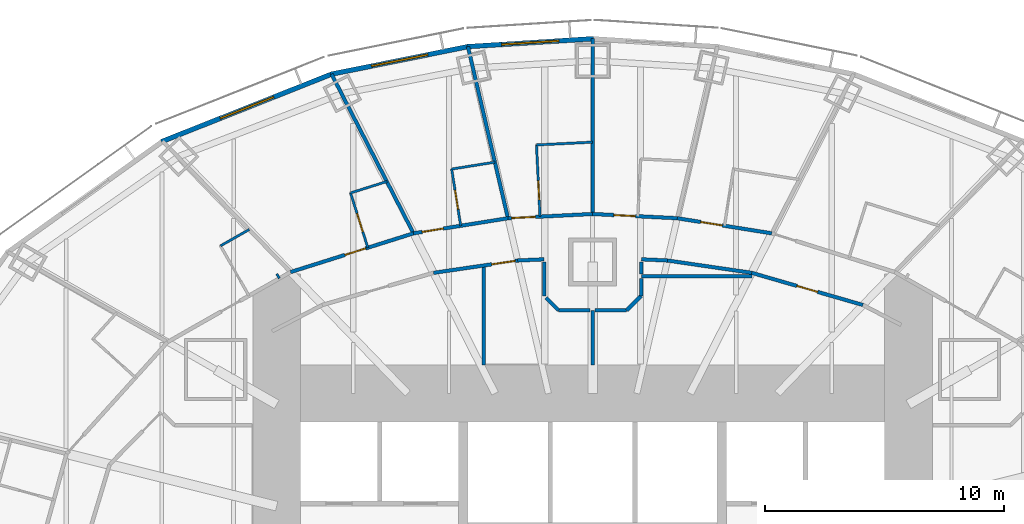
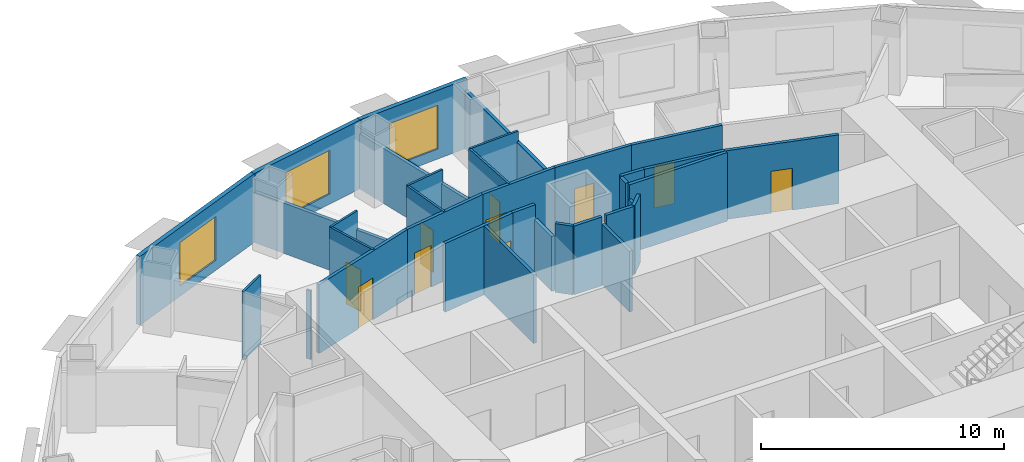
# One storey, part 10 of 17: 34 walls, 10 doors, 3 windows, 13 openings.
"""IFC4 building model written with IfcOpenShell, lengths in metres."""

from ifc_helpers import new_model, si_unit, direction, frame, frame_2d, origin, place, context, subcontext, project, spatial, rectangle, extrude, material, layer, layer_set, type_object, element, fill, save


model = new_model("IFC4")

# Units and contexts
model_context = context("Model", 3, precision=1e-05, world=origin(), true_north=direction((0.0, 1.0)))
body_context = subcontext(model_context, "Body", "Model", "MODEL_VIEW")
ifc_project = project(units=[si_unit("LENGTHUNIT", "METRE"), si_unit("AREAUNIT", "SQUARE_METRE"), si_unit("VOLUMEUNIT", "CUBIC_METRE"), si_unit("PLANEANGLEUNIT", "RADIAN"), si_unit("MASSUNIT", "GRAM", prefix="KILO")], contexts=[model_context])

# Site, building, storey
site_placement = place(None, origin())
site = spatial("IfcSite", under=ifc_project, at=site_placement, CompositionType="ELEMENT")
building_placement = place(site_placement, origin())
building = spatial("IfcBuilding", under=site, at=building_placement, Name="Lantaw Convention Tower", CompositionType="ELEMENT")
storey_placement = place(building_placement, frame((0.0, 0.0, 40.60009765625)))
storey = spatial("IfcBuildingStorey", under=building, at=storey_placement, Name="L07", CompositionType="ELEMENT", Elevation=40.60009765625)

# Walls
ifc_material_1 = material(Name="Gypsum board on steel studs", Category="steel")
ifc_layer_1 = layer(ifc_material_1, 0.14990234375)
ifc_layer_set_1 = layer_set([ifc_layer_1], Name="Back of house wall 150")
wall_type_1 = type_object("IfcWallType", Name="Back of house wall 150", PredefinedType="PARTITIONING", material=ifc_layer_set_1)
wall_1_placement = place(storey_placement, frame((0.0, 9.199951171875, 0.0), z_axis=(0.0, 0.0, 1.0), x_axis=(0.0, 1.0, 0.0)))
element("IfcWall", 1, at=wall_1_placement, inside=storey, type_object=wall_type_1, Name="Back of house wall 150", PredefinedType="PARTITIONING", context=body_context, shape_type="SweptSolid", body=[
    extrude(rectangle(XDim=2.26513671875, YDim=0.14990234375, at=frame_2d((1.132568359375, 0.0))), origin(), (0.0, 0.0, 1.0), 3.04345703125),
])
wall_2_placement = place(storey_placement, frame((6.667724609375, 12.89990234375, 0.0), z_axis=(0.0, 0.0, 1.0), x_axis=(-1.0, 0.0, 0.0)))
element("IfcWall", 2, at=wall_2_placement, inside=storey, type_object=wall_type_1, Name="Back of house wall 150", PredefinedType="PARTITIONING", context=body_context, shape_type="SweptSolid", body=[
    extrude(rectangle(XDim=4.6328125, YDim=0.14990234375, at=frame_2d((2.31640625, 0.0))), origin(), (0.0, 0.0, 1.0), 3.449951171875),
])
wall_3_placement = place(storey_placement, frame((2.02490234375, 12.796875, 0.0), z_axis=(0.0, 0.0, 1.0), x_axis=(0.0, -1.0, 0.0)))
element("IfcWall", 3, at=wall_3_placement, inside=storey, type_object=wall_type_1, Name="Back of house wall 150", PredefinedType="PARTITIONING", context=body_context, shape_type="SweptSolid", body=[
    extrude(rectangle(XDim=0.721435546875, YDim=0.14990234375, at=frame_2d((0.36083984375, 0.0))), origin(), (0.0, 0.0, 1.0), 2.748779296875),
])
wall_4_placement = place(storey_placement, frame((2.02490234375, 12.075439453125, 0.0), z_axis=(0.0, 0.0, 1.0), x_axis=(-0.707106781187, -0.707106781187, 0.0)))
element("IfcWall", 4, at=wall_4_placement, inside=storey, type_object=wall_type_1, Name="Back of house wall 150", PredefinedType="PARTITIONING", context=body_context, shape_type="SweptSolid", body=[
    extrude(rectangle(XDim=0.84912109375, YDim=0.14990234375, at=frame_2d((0.424560546875, 0.0))), origin(), (0.0, 0.0, 1.0), 3.449951171875),
])
wall_5_placement = place(storey_placement, frame((1.424560546875, 11.47509765625, 0.0), z_axis=(0.0, 0.0, 1.0), x_axis=(-1.0, 0.0, 0.0)))
element("IfcWall", 5, at=wall_5_placement, inside=storey, type_object=wall_type_1, Name="Back of house wall 150", PredefinedType="PARTITIONING", context=body_context, shape_type="SweptSolid", body=[
    extrude(rectangle(XDim=1.3212890625, YDim=0.14990234375, at=frame_2d((0.66064453125, 0.0))), origin(), (0.0, 0.0, 1.0), 3.449951171875),
])
wall_6_placement = place(storey_placement, frame((2.02490234375, 13.502685546875, 0.0), z_axis=(0.0, 0.0, 1.0), x_axis=(0.0, -1.0, 0.0)))
element("IfcWall", 6, at=wall_6_placement, inside=storey, type_object=wall_type_1, Name="Back of house wall 150", PredefinedType="PARTITIONING", context=body_context, shape_type="SweptSolid", body=[
    extrude(rectangle(XDim=0.49951171875, YDim=0.14990234375, at=frame_2d((0.249755859375, 0.0))), origin(), (0.0, 0.0, 1.0), 3.449951171875),
])
wall_7_placement = place(storey_placement, frame((-0.103271484375, 11.47509765625, 0.0), z_axis=(0.0, 0.0, 1.0), x_axis=(-1.0, 0.0, 0.0)))
element("IfcWall", 7, at=wall_7_placement, inside=storey, type_object=wall_type_1, Name="Back of house wall 150", PredefinedType="PARTITIONING", context=body_context, shape_type="SweptSolid", body=[
    extrude(rectangle(XDim=1.3212890625, YDim=0.14990234375, at=frame_2d((0.66064453125, 0.0))), origin(), (0.0, 0.0, 1.0), 3.449951171875),
])
wall_8_placement = place(storey_placement, frame((-1.424560546875, 11.47509765625, 0.0), z_axis=(0.0, 0.0, 1.0), x_axis=(-0.707269727782, 0.706943797032, 0.0)))
element("IfcWall", 8, at=wall_8_placement, inside=storey, type_object=wall_type_1, Name="Back of house wall 150", PredefinedType="PARTITIONING", context=body_context, shape_type="SweptSolid", body=[
    extrude(rectangle(XDim=0.7490234375, YDim=0.14990234375, at=frame_2d((0.37451171875, 0.0))), origin(), (0.0, 0.0, 1.0), 3.449951171875),
])

# Wall, opening, door
ifc_material_2 = material(Name="Moisture resistant gypsum board on steel studs", Category="steel")
ifc_layer_2 = layer(ifc_material_2, 0.10009765625)
ifc_layer_set_2 = layer_set([ifc_layer_2], Name="Bathroom wall 100")
wall_type_2 = type_object("IfcWallType", Name="Bathroom wall 100", PredefinedType="PARTITIONING", material=ifc_layer_set_2)
wall_9_placement = place(storey_placement, frame((-2.197265625, 15.390380859375, 0.0), z_axis=(0.0, 0.0, 1.0), x_axis=(-0.049888907753, 0.998754773147, 0.0)))
wall_9 = element("IfcWall", 9, at=wall_9_placement, inside=storey, type_object=wall_type_2, Name="Bathroom wall 100", PredefinedType="PARTITIONING", context=body_context, shape_type="SweptSolid", body=[
    extrude(rectangle(XDim=2.999755859375, YDim=0.10009765625, at=frame_2d((1.5, 0.0))), origin(), (0.0, 0.0, 1.0), 3.449951171875),
])
opening_1_placement = place(wall_9_placement, frame((0.699951171875, 0.0, 0.0)))
opening_1 = element("IfcOpeningElement", 10, at=opening_1_placement, cuts=wall_9, Name="Opening L07.37", PredefinedType="OPENING", context=body_context, shape_type="SweptSolid", body=[
    extrude(rectangle(XDim=0.800048828125, YDim=2.10009765625, at=frame_2d((0.39990234375, 1.050048828125))), frame((0.0, 0.06005859375, 0.0), z_axis=(0.0, -1.0, 0.0), x_axis=(1.0, 0.0, 0.0)), (0.0, 0.0, 1.0), 0.1201171875),
])
ifc_material_3 = material(Name="Timber", Category="wood")
door_type_1 = type_object("IfcDoorType", Name="Bathroom door 800", OperationType="SINGLE_SWING_LEFT", PredefinedType="DOOR", material=ifc_material_3)
door_1_placement = place(opening_1_placement, origin())
door_1 = element("IfcDoor", 11, at=door_1_placement, inside=storey, type_object=door_type_1, Name="Bathroom door", OperationType="SINGLE_SWING_LEFT", OverallHeight=2.10009765625, OverallWidth=0.800048828125, PredefinedType="DOOR", context=body_context, shape_type="SweptSolid", body=[
    extrude(rectangle(XDim=0.800048828125, YDim=2.10009765625, at=frame_2d((0.39990234375, 1.050048828125))), frame((0.0, 0.02490234375, 0.0), z_axis=(0.0, -1.0, 0.0), x_axis=(1.0, 0.0, 0.0)), (0.0, 0.0, 1.0), 0.050048828125),
])
fill(opening_1, door_1)

# Wall
wall_10_placement = place(storey_placement, frame((-2.346923828125, 18.386474609375, 0.0), z_axis=(0.0, 0.0, 1.0), x_axis=(0.998755704817, 0.049870252607, 0.0)))
element("IfcWall", 12, at=wall_10_placement, inside=storey, type_object=wall_type_2, Name="Bathroom wall 100", PredefinedType="PARTITIONING", context=body_context, shape_type="SweptSolid", body=[
    extrude(rectangle(XDim=2.349853515625, YDim=0.10009765625, at=frame_2d((1.1748046875, 0.0))), origin(), (0.0, 0.0, 1.0), 3.449951171875),
])

# Wall, opening, door
wall_11_placement = place(storey_placement, frame((-5.5126953125, 15.0078125, 0.0), z_axis=(0.0, 0.0, 1.0), x_axis=(-0.157780217218, 0.987474254376, 0.0)))
wall_11 = element("IfcWall", 13, at=wall_11_placement, inside=storey, type_object=wall_type_2, Name="Bathroom wall 100", PredefinedType="PARTITIONING", context=body_context, shape_type="SweptSolid", body=[
    extrude(rectangle(XDim=2.39990234375, YDim=0.10009765625, at=frame_2d((1.199951171875, 0.0))), origin(), (0.0, 0.0, 1.0), 3.449951171875),
])
opening_2_placement = place(wall_11_placement, frame((0.699951171875, 0.0, 0.0)))
opening_2 = element("IfcOpeningElement", 14, at=opening_2_placement, cuts=wall_11, Name="Opening L07.39", PredefinedType="OPENING", context=body_context, shape_type="SweptSolid", body=[
    extrude(rectangle(XDim=0.800048828125, YDim=2.10009765625, at=frame_2d((0.39990234375, 1.050048828125))), frame((0.0, 0.06005859375, 0.0), z_axis=(0.0, -1.0, 0.0), x_axis=(1.0, 0.0, 0.0)), (0.0, 0.0, 1.0), 0.1201171875),
])
door_2_placement = place(opening_2_placement, origin())
door_2 = element("IfcDoor", 15, at=door_2_placement, inside=storey, type_object=door_type_1, Name="Bathroom door", OperationType="SINGLE_SWING_LEFT", OverallHeight=2.10009765625, OverallWidth=0.800048828125, PredefinedType="DOOR", context=body_context, shape_type="SweptSolid", body=[
    extrude(rectangle(XDim=0.800048828125, YDim=2.10009765625, at=frame_2d((0.39990234375, 1.050048828125))), frame((0.0, 0.02490234375, 0.0), z_axis=(0.0, -1.0, 0.0), x_axis=(1.0, 0.0, 0.0)), (0.0, 0.0, 1.0), 0.050048828125),
])
fill(opening_2, door_2)

# Wall
wall_12_placement = place(storey_placement, frame((-5.891357421875, 17.377685546875, 0.0), z_axis=(0.0, 0.0, 1.0), x_axis=(0.987478784284, 0.157751863976, 0.0)))
element("IfcWall", 16, at=wall_12_placement, inside=storey, type_object=wall_type_2, Name="Bathroom wall 100", PredefinedType="PARTITIONING", context=body_context, shape_type="SweptSolid", body=[
    extrude(rectangle(XDim=1.83544921875, YDim=0.10009765625, at=frame_2d((0.917724609375, 0.0))), origin(), (0.0, 0.0, 1.0), 3.449951171875),
])

# Wall, opening, door
wall_13_placement = place(storey_placement, frame((-9.393798828125, 14.09130859375, 0.0), z_axis=(0.0, 0.0, 1.0), x_axis=(-0.30049839721, 0.953782319649, 0.0)))
wall_13 = element("IfcWall", 17, at=wall_13_placement, inside=storey, type_object=wall_type_2, Name="Bathroom wall 100", PredefinedType="PARTITIONING", context=body_context, shape_type="SweptSolid", body=[
    extrude(rectangle(XDim=2.39990234375, YDim=0.10009765625, at=frame_2d((1.199951171875, 0.0))), origin(), (0.0, 0.0, 1.0), 3.449951171875),
])
opening_3_placement = place(wall_13_placement, frame((0.699951171875, 0.0, 0.0)))
opening_3 = element("IfcOpeningElement", 18, at=opening_3_placement, cuts=wall_13, Name="Opening L07.41", PredefinedType="OPENING", context=body_context, shape_type="SweptSolid", body=[
    extrude(rectangle(XDim=0.800048828125, YDim=2.10009765625, at=frame_2d((0.39990234375, 1.050048828125))), frame((0.0, 0.06005859375, 0.0), z_axis=(0.0, -1.0, 0.0), x_axis=(1.0, 0.0, 0.0)), (0.0, 0.0, 1.0), 0.1201171875),
])
door_3_placement = place(opening_3_placement, origin())
door_3 = element("IfcDoor", 19, at=door_3_placement, inside=storey, type_object=door_type_1, Name="Bathroom door", OperationType="SINGLE_SWING_LEFT", OverallHeight=2.10009765625, OverallWidth=0.800048828125, PredefinedType="DOOR", context=body_context, shape_type="SweptSolid", body=[
    extrude(rectangle(XDim=0.800048828125, YDim=2.10009765625, at=frame_2d((0.39990234375, 1.050048828125))), frame((0.0, 0.02490234375, 0.0), z_axis=(0.0, -1.0, 0.0), x_axis=(1.0, 0.0, 0.0)), (0.0, 0.0, 1.0), 0.050048828125),
])
fill(opening_3, door_3)

# Walls
wall_14_placement = place(storey_placement, frame((-10.114990234375, 16.38037109375, 0.0), z_axis=(0.0, 0.0, 1.0), x_axis=(0.953764923986, 0.300553605492, 0.0)))
element("IfcWall", 20, at=wall_14_placement, inside=storey, type_object=wall_type_2, Name="Bathroom wall 100", PredefinedType="PARTITIONING", context=body_context, shape_type="SweptSolid", body=[
    extrude(rectangle(XDim=1.597900390625, YDim=0.10009765625, at=frame_2d((0.798828125, 0.0))), origin(), (0.0, 0.0, 1.0), 3.449951171875),
])
wall_15_placement = place(storey_placement, frame((-15.550048828125, 14.169677734375, 0.0), z_axis=(0.0, 0.0, 1.0), x_axis=(0.869065896633, 0.494696338485, 0.0)))
element("IfcWall", 21, at=wall_15_placement, inside=storey, type_object=wall_type_2, Name="Bathroom wall 100", PredefinedType="PARTITIONING", context=body_context, shape_type="SweptSolid", body=[
    extrude(rectangle(XDim=1.3857421875, YDim=0.10009765625, at=frame_2d((0.69287109375, 0.0))), origin(), (0.0, 0.0, 1.0), 3.449951171875),
])

# Wall, opening, door
ifc_material_4 = material(Name="Gypsum board on steel studs, fire rated", Category="steel")
ifc_layer_3 = layer(ifc_material_4, 0.14990234375)
ifc_layer_set_3 = layer_set([ifc_layer_3], Name="Corridor wall 150 EI 60")
wall_type_3 = type_object("IfcWallType", Name="Corridor wall 150 EI 60", PredefinedType="PARTITIONING", material=ifc_layer_set_3)
wall_16_placement = place(storey_placement, frame((7.486083984375, 14.6923828125, 0.0), z_axis=(0.0, 0.0, 1.0), x_axis=(-0.987475660646, 0.157771415761, 0.0)))
wall_16 = element("IfcWall", 22, at=wall_16_placement, inside=storey, type_object=wall_type_3, Name="Corridor wall 150", PredefinedType="PARTITIONING", context=body_context, shape_type="SweptSolid", body=[
    extrude(rectangle(XDim=3.99853515625, YDim=0.14990234375, at=frame_2d((1.999267578125, 0.0))), origin(), (0.0, 0.0, 1.0), 3.449951171875),
])
opening_4_placement = place(wall_16_placement, frame((2.10009765625, 0.0, 0.0)))
opening_4 = element("IfcOpeningElement", 23, at=opening_4_placement, cuts=wall_16, Name="Opening L07.34", PredefinedType="OPENING", context=body_context, shape_type="SweptSolid", body=[
    extrude(rectangle(XDim=0.89990234375, YDim=2.10009765625, at=frame_2d((0.449951171875, 1.050048828125))), frame((0.0, 0.0849609375, 0.0), z_axis=(0.0, -1.0, 0.0), x_axis=(1.0, 0.0, 0.0)), (0.0, 0.0, 1.0), 0.169921875),
])
ifc_material_5 = material(Name="Steel, fire rated", Category="steel")
door_type_2 = type_object("IfcDoorType", Name="Guest room entrance door FD30S", OperationType="SINGLE_SWING_LEFT", PredefinedType="DOOR", material=ifc_material_5)
door_4_placement = place(opening_4_placement, origin())
door_4 = element("IfcDoor", 24, at=door_4_placement, inside=storey, type_object=door_type_2, Name="Guest room entrance door", OperationType="SINGLE_SWING_LEFT", OverallHeight=2.10009765625, OverallWidth=0.89990234375, PredefinedType="DOOR", context=body_context, shape_type="SweptSolid", body=[
    extrude(rectangle(XDim=0.89990234375, YDim=2.10009765625, at=frame_2d((0.449951171875, 1.050048828125))), frame((0.0, 0.02490234375, 0.0), z_axis=(0.0, -1.0, 0.0), x_axis=(1.0, 0.0, 0.0)), (0.0, 0.0, 1.0), 0.050048828125),
])
fill(opening_4, door_4)

wall_17_placement = place(storey_placement, frame((3.53759765625, 15.3232421875, 0.0), z_axis=(0.0, 0.0, 1.0), x_axis=(-0.998754057167, 0.049903239295, 0.0)))
wall_17 = element("IfcWall", 25, at=wall_17_placement, inside=storey, type_object=wall_type_3, Name="Corridor wall 150", PredefinedType="PARTITIONING", context=body_context, shape_type="SweptSolid", body=[
    extrude(rectangle(XDim=3.5419921875, YDim=0.14990234375, at=frame_2d((1.77099609375, 0.0))), origin(), (0.0, 0.0, 1.0), 3.449951171875),
])
opening_5_placement = place(wall_17_placement, frame((1.75, 0.0, 0.0)))
opening_5 = element("IfcOpeningElement", 26, at=opening_5_placement, cuts=wall_17, Name="Opening L07.36", PredefinedType="OPENING", context=body_context, shape_type="SweptSolid", body=[
    extrude(rectangle(XDim=0.89990234375, YDim=2.10009765625, at=frame_2d((0.449951171875, 1.050048828125))), frame((0.0, 0.0849609375, 0.0), z_axis=(0.0, -1.0, 0.0), x_axis=(1.0, 0.0, 0.0)), (0.0, 0.0, 1.0), 0.169921875),
])
door_5_placement = place(opening_5_placement, origin())
door_5 = element("IfcDoor", 27, at=door_5_placement, inside=storey, type_object=door_type_2, Name="Guest room entrance door", OperationType="SINGLE_SWING_LEFT", OverallHeight=2.10009765625, OverallWidth=0.89990234375, PredefinedType="DOOR", context=body_context, shape_type="SweptSolid", body=[
    extrude(rectangle(XDim=0.89990234375, YDim=2.10009765625, at=frame_2d((0.449951171875, 1.050048828125))), frame((0.0, 0.02490234375, 0.0), z_axis=(0.0, -1.0, 0.0), x_axis=(1.0, 0.0, 0.0)), (0.0, 0.0, 1.0), 0.050048828125),
])
fill(opening_5, door_5)

wall_18_placement = place(storey_placement, frame((0.0, 15.5, 0.0), z_axis=(0.0, 0.0, 1.0), x_axis=(-0.998754057167, -0.049903239295, 0.0)))
wall_18 = element("IfcWall", 28, at=wall_18_placement, inside=storey, type_object=wall_type_3, Name="Corridor wall 150", PredefinedType="PARTITIONING", context=body_context, shape_type="SweptSolid", body=[
    extrude(rectangle(XDim=3.5419921875, YDim=0.14990234375, at=frame_2d((1.77099609375, 0.0))), origin(), (0.0, 0.0, 1.0), 3.449951171875),
])
opening_6_placement = place(wall_18_placement, frame((2.39208984375, 0.0, 0.0)))
opening_6 = element("IfcOpeningElement", 29, at=opening_6_placement, cuts=wall_18, Name="Opening L07.38", PredefinedType="OPENING", context=body_context, shape_type="SweptSolid", body=[
    extrude(rectangle(XDim=1.0, YDim=2.10009765625, at=frame_2d((0.5, 1.050048828125))), frame((0.0, 0.0849609375, 0.0), z_axis=(0.0, -1.0, 0.0), x_axis=(1.0, 0.0, 0.0)), (0.0, 0.0, 1.0), 0.169921875),
])
door_type_3 = type_object("IfcDoorType", Name="Accessible room entrance door FD30S", OperationType="SINGLE_SWING_LEFT", PredefinedType="DOOR", material=ifc_material_5)
door_6_placement = place(opening_6_placement, origin())
door_6 = element("IfcDoor", 30, at=door_6_placement, inside=storey, type_object=door_type_3, Name="Guest room entrance door", OperationType="SINGLE_SWING_LEFT", OverallHeight=2.10009765625, OverallWidth=1.0, PredefinedType="DOOR", context=body_context, shape_type="SweptSolid", body=[
    extrude(rectangle(XDim=1.0, YDim=2.10009765625, at=frame_2d((0.5, 1.050048828125))), frame((0.0, 0.02490234375, 0.0), z_axis=(0.0, -1.0, 0.0), x_axis=(1.0, 0.0, 0.0)), (0.0, 0.0, 1.0), 0.050048828125),
])
fill(opening_6, door_6)

wall_19_placement = place(storey_placement, frame((-3.53759765625, 15.3232421875, 0.0), z_axis=(0.0, 0.0, 1.0), x_axis=(-0.987475660646, -0.157771415761, 0.0)))
wall_19 = element("IfcWall", 31, at=wall_19_placement, inside=storey, type_object=wall_type_3, Name="Corridor wall 150", PredefinedType="PARTITIONING", context=body_context, shape_type="SweptSolid", body=[
    extrude(rectangle(XDim=3.99853515625, YDim=0.14990234375, at=frame_2d((1.999267578125, 0.0))), origin(), (0.0, 0.0, 1.0), 3.449951171875),
])
opening_7_placement = place(wall_19_placement, frame((2.736328125, 0.0, 0.0)))
opening_7 = element("IfcOpeningElement", 32, at=opening_7_placement, cuts=wall_19, Name="Opening L07.40", PredefinedType="OPENING", context=body_context, shape_type="SweptSolid", body=[
    extrude(rectangle(XDim=0.89990234375, YDim=2.10009765625, at=frame_2d((0.449951171875, 1.050048828125))), frame((0.0, 0.0849609375, 0.0), z_axis=(0.0, -1.0, 0.0), x_axis=(1.0, 0.0, 0.0)), (0.0, 0.0, 1.0), 0.169921875),
])
door_7_placement = place(opening_7_placement, origin())
door_7 = element("IfcDoor", 33, at=door_7_placement, inside=storey, type_object=door_type_2, Name="Guest room entrance door", OperationType="SINGLE_SWING_LEFT", OverallHeight=2.10009765625, OverallWidth=0.89990234375, PredefinedType="DOOR", context=body_context, shape_type="SweptSolid", body=[
    extrude(rectangle(XDim=0.89990234375, YDim=2.10009765625, at=frame_2d((0.449951171875, 1.050048828125))), frame((0.0, 0.02490234375, 0.0), z_axis=(0.0, -1.0, 0.0), x_axis=(1.0, 0.0, 0.0)), (0.0, 0.0, 1.0), 0.050048828125),
])
fill(opening_7, door_7)

wall_20_placement = place(storey_placement, frame((-7.486083984375, 14.6923828125, 0.0), z_axis=(0.0, 0.0, 1.0), x_axis=(-0.953774229808, -0.30052407317, 0.0)))
wall_20 = element("IfcWall", 34, at=wall_20_placement, inside=storey, type_object=wall_type_3, Name="Corridor wall 150", PredefinedType="PARTITIONING", context=body_context, shape_type="SweptSolid", body=[
    extrude(rectangle(XDim=5.3876953125, YDim=0.14990234375, at=frame_2d((2.69384765625, 0.0))), origin(), (0.0, 0.0, 1.0), 3.449951171875),
])
opening_8_placement = place(wall_20_placement, frame((2.10009765625, 0.0, 0.0)))
opening_8 = element("IfcOpeningElement", 35, at=opening_8_placement, cuts=wall_20, Name="Opening L07.42", PredefinedType="OPENING", context=body_context, shape_type="SweptSolid", body=[
    extrude(rectangle(XDim=0.89990234375, YDim=2.10009765625, at=frame_2d((0.449951171875, 1.050048828125))), frame((0.0, 0.0849609375, 0.0), z_axis=(0.0, -1.0, 0.0), x_axis=(1.0, 0.0, 0.0)), (0.0, 0.0, 1.0), 0.169921875),
])
door_8_placement = place(opening_8_placement, origin())
door_8 = element("IfcDoor", 36, at=door_8_placement, inside=storey, type_object=door_type_2, Name="Guest room entrance door", OperationType="SINGLE_SWING_LEFT", OverallHeight=2.10009765625, OverallWidth=0.89990234375, PredefinedType="DOOR", context=body_context, shape_type="SweptSolid", body=[
    extrude(rectangle(XDim=0.89990234375, YDim=2.10009765625, at=frame_2d((0.449951171875, 1.050048828125))), frame((0.0, 0.02490234375, 0.0), z_axis=(0.0, -1.0, 0.0), x_axis=(1.0, 0.0, 0.0)), (0.0, 0.0, 1.0), 0.050048828125),
])
fill(opening_8, door_8)

wall_21_placement = place(storey_placement, frame((11.296142578125, 11.697509765625, 0.0), z_axis=(0.0, 0.0, 1.0), x_axis=(-0.960678318068, 0.277663770041, 0.0)))
wall_21 = element("IfcWall", 37, at=wall_21_placement, inside=storey, type_object=wall_type_3, Name="Corridor wall 150", PredefinedType="PARTITIONING", context=body_context, shape_type="SweptSolid", body=[
    extrude(rectangle(XDim=4.84130859375, YDim=0.14990234375, at=frame_2d((2.420654296875, 0.0))), origin(), (0.0, 0.0, 1.0), 3.449951171875),
])
opening_9_placement = place(wall_21_placement, frame((1.970703125, 0.0, 0.0)))
opening_9 = element("IfcOpeningElement", 38, at=opening_9_placement, cuts=wall_21, Name="Opening L07.16", PredefinedType="OPENING", context=body_context, shape_type="SweptSolid", body=[
    extrude(rectangle(XDim=0.89990234375, YDim=2.10009765625, at=frame_2d((0.449951171875, 1.050048828125))), frame((0.0, 0.0849609375, 0.0), z_axis=(0.0, -1.0, 0.0), x_axis=(1.0, 0.0, 0.0)), (0.0, 0.0, 1.0), 0.169921875),
])
door_type_4 = type_object("IfcDoorType", Name="Service door 900 FD30", OperationType="SINGLE_SWING_LEFT", PredefinedType="DOOR", material=ifc_material_5)
door_9_placement = place(opening_9_placement, origin())
door_9 = element("IfcDoor", 39, at=door_9_placement, inside=storey, type_object=door_type_4, Name="Linen store room door", OperationType="SINGLE_SWING_LEFT", OverallHeight=2.10009765625, OverallWidth=0.89990234375, PredefinedType="DOOR", context=body_context, shape_type="SweptSolid", body=[
    extrude(rectangle(XDim=0.89990234375, YDim=2.10009765625, at=frame_2d((0.449951171875, 1.050048828125))), frame((0.0, 0.02490234375, 0.0), z_axis=(0.0, -1.0, 0.0), x_axis=(1.0, 0.0, 0.0)), (0.0, 0.0, 1.0), 0.050048828125),
])
fill(opening_9, door_9)

# Wall
wall_22_placement = place(storey_placement, frame((6.645263671875, 13.041748046875, 0.0), z_axis=(0.0, 0.0, 1.0), x_axis=(-0.989443047021, 0.14492224364, 0.0)))
element("IfcWall", 40, at=wall_22_placement, inside=storey, type_object=wall_type_3, Name="Corridor wall 150", PredefinedType="PARTITIONING", context=body_context, shape_type="SweptSolid", body=[
    extrude(rectangle(XDim=3.552978515625, YDim=0.14990234375, at=frame_2d((1.7763671875, 0.0))), origin(), (0.0, 0.0, 1.0), 3.449951171875),
])

# Wall, opening, door
wall_23_placement = place(storey_placement, frame((-3.1298828125, 13.556640625, 0.0), z_axis=(0.0, 0.0, 1.0), x_axis=(-0.989443047021, -0.14492224364, 0.0)))
wall_23 = element("IfcWall", 41, at=wall_23_placement, inside=storey, type_object=wall_type_3, Name="Corridor wall 150", PredefinedType="PARTITIONING", context=body_context, shape_type="SweptSolid", body=[
    extrude(rectangle(XDim=3.552978515625, YDim=0.14990234375, at=frame_2d((1.7763671875, 0.0))), origin(), (0.0, 0.0, 1.0), 3.449951171875),
])
opening_10_placement = place(wall_23_placement, frame((0.10009765625, 0.0, 0.0)))
opening_10 = element("IfcOpeningElement", 42, at=opening_10_placement, cuts=wall_23, Name="Opening L07.18", PredefinedType="OPENING", context=body_context, shape_type="SweptSolid", body=[
    extrude(rectangle(XDim=1.0, YDim=2.10009765625, at=frame_2d((0.5, 1.050048828125))), frame((0.0, 0.0849609375, 0.0), z_axis=(0.0, -1.0, 0.0), x_axis=(1.0, 0.0, 0.0)), (0.0, 0.0, 1.0), 0.169921875),
])
door_type_5 = type_object("IfcDoorType", Name="Accessible WC door 1000 FD30", OperationType="SINGLE_SWING_LEFT", PredefinedType="DOOR", material=ifc_material_5)
door_10_placement = place(opening_10_placement, origin())
door_10 = element("IfcDoor", 43, at=door_10_placement, inside=storey, type_object=door_type_5, Name="Accessible WC door", OperationType="SINGLE_SWING_LEFT", OverallHeight=2.10009765625, OverallWidth=1.0, PredefinedType="DOOR", context=body_context, shape_type="SweptSolid", body=[
    extrude(rectangle(XDim=1.0, YDim=2.10009765625, at=frame_2d((0.5, 1.050048828125))), frame((0.0, 0.02490234375, 0.0), z_axis=(0.0, -1.0, 0.0), x_axis=(1.0, 0.0, 0.0)), (0.0, 0.0, 1.0), 0.050048828125),
])
fill(opening_10, door_10)

# Walls
for number, where, z_axis, x_axis, name in (
    (44, (3.1298828125, 13.556640625, 0.0), (0.0, 0.0, 1.0), (-0.998946843147, 0.045882508292, 0.0), "Corridor wall 150"),
    (45, (-2.034912109375, 13.60693359375, 0.0), (0.0, 0.0, 1.0), (-0.998946843147, -0.045882508292, 0.0), "Corridor wall 150"),
):
    element("IfcWall", number, at=place(storey_placement, frame(where, z_axis=z_axis, x_axis=x_axis)), inside=storey, type_object=wall_type_3, Name=name, PredefinedType="PARTITIONING", context=body_context, shape_type="SweptSolid", body=[
        extrude(rectangle(XDim=1.09619140625, YDim=0.14990234375, at=frame_2d((0.548095703125, 0.0))), origin(), (0.0, 0.0, 1.0), 3.449951171875),
    ])
wall_24_placement = place(storey_placement, frame((-2.02490234375, 12.075439453125, 0.0), z_axis=(0.0, 0.0, 1.0), x_axis=(0.0, 1.0, 0.0)))
element("IfcWall", 46, at=wall_24_placement, inside=storey, type_object=wall_type_3, Name="Corridor wall 150", PredefinedType="PARTITIONING", context=body_context, shape_type="SweptSolid", body=[
    extrude(rectangle(XDim=1.42724609375, YDim=0.14990234375, at=frame_2d((0.713623046875, 0.0))), origin(), (0.0, 0.0, 1.0), 2.748779296875),
])

# Wall, opening, window
ifc_material_6 = material(Name="Insulated aluminium panel on steel frame", Category="steel")
ifc_layer_4 = layer(ifc_material_6, 0.199951171875)
ifc_layer_set_4 = layer_set([ifc_layer_4], Name="External wall 200")
wall_type_4 = type_object("IfcWallType", Name="External wall 200", PredefinedType="SOLIDWALL", material=ifc_layer_set_4)
wall_25_placement = place(storey_placement, frame((0.041015625, 22.8271484375, 0.0), z_axis=(0.0, 0.0, 1.0), x_axis=(-0.998018582375, -0.062919863585, 0.0)))
wall_25 = element("IfcWall", 47, at=wall_25_placement, inside=storey, type_object=wall_type_4, Name="Facade panel wall", PredefinedType="SOLIDWALL", context=body_context, shape_type="SweptSolid", body=[
    extrude(rectangle(XDim=5.30419921875, YDim=0.199951171875, at=frame_2d((2.652099609375, 0.0))), origin(), (0.0, 0.0, 1.0), 3.449951171875),
])
opening_11_placement = place(wall_25_placement, frame((1.4521484375, 0.0, 0.5)))
opening_11 = element("IfcOpeningElement", 48, at=opening_11_placement, cuts=wall_25, Name="Opening W1", PredefinedType="OPENING", context=body_context, shape_type="SweptSolid", body=[
    extrude(rectangle(XDim=2.39990234375, YDim=2.199951171875, at=frame_2d((1.199951171875, 1.10009765625))), frame((0.0, 0.10986328125, 0.0), z_axis=(0.0, -1.0, 0.0), x_axis=(1.0, 0.0, 0.0)), (0.0, 0.0, 1.0), 0.219970703125),
])
ifc_material_7 = material(Name="Aluminium frame, clear insulating glass", Category="aluminium")
window_type = type_object("IfcWindowType", Name="Guest room window 2400x2200", PartitioningType="SINGLE_PANEL", PredefinedType="WINDOW", material=ifc_material_7)
window_1_placement = place(opening_11_placement, origin())
window_1 = element("IfcWindow", 49, at=window_1_placement, inside=storey, type_object=window_type, Name="Guest room window", OverallHeight=2.199951171875, OverallWidth=2.39990234375, PartitioningType="SINGLE_PANEL", PredefinedType="WINDOW", context=body_context, shape_type="SweptSolid", body=[
    extrude(rectangle(XDim=2.39990234375, YDim=2.199951171875, at=frame_2d((1.199951171875, 1.10009765625))), frame((0.0, 0.030029296875, 0.0), z_axis=(0.0, -1.0, 0.0), x_axis=(1.0, 0.0, 0.0)), (0.0, 0.0, 1.0), 0.06005859375),
])
fill(opening_11, window_1)

wall_26_placement = place(storey_placement, frame((-5.169677734375, 22.504150390625, 0.0), z_axis=(0.0, 0.0, 1.0), x_axis=(-0.980251657452, -0.197754110105, 0.0)))
wall_26 = element("IfcWall", 50, at=wall_26_placement, inside=storey, type_object=wall_type_4, Name="Facade panel wall", PredefinedType="SOLIDWALL", context=body_context, shape_type="SweptSolid", body=[
    extrude(rectangle(XDim=5.90380859375, YDim=0.199951171875, at=frame_2d((2.951904296875, 0.0))), origin(), (0.0, 0.0, 1.0), 3.449951171875),
])
opening_12_placement = place(wall_26_placement, frame((1.751708984375, 0.0, 0.5)))
opening_12 = element("IfcOpeningElement", 51, at=opening_12_placement, cuts=wall_26, Name="Opening W1", PredefinedType="OPENING", context=body_context, shape_type="SweptSolid", body=[
    extrude(rectangle(XDim=2.39990234375, YDim=2.199951171875, at=frame_2d((1.199951171875, 1.10009765625))), frame((0.0, 0.10986328125, 0.0), z_axis=(0.0, -1.0, 0.0), x_axis=(1.0, 0.0, 0.0)), (0.0, 0.0, 1.0), 0.219970703125),
])
window_2_placement = place(opening_12_placement, origin())
window_2 = element("IfcWindow", 52, at=window_2_placement, inside=storey, type_object=window_type, Name="Guest room window", OverallHeight=2.199951171875, OverallWidth=2.39990234375, PartitioningType="SINGLE_PANEL", PredefinedType="WINDOW", context=body_context, shape_type="SweptSolid", body=[
    extrude(rectangle(XDim=2.39990234375, YDim=2.199951171875, at=frame_2d((1.199951171875, 1.10009765625))), frame((0.0, 0.030029296875, 0.0), z_axis=(0.0, -1.0, 0.0), x_axis=(1.0, 0.0, 0.0)), (0.0, 0.0, 1.0), 0.06005859375),
])
fill(opening_12, window_2)

wall_27_placement = place(storey_placement, frame((-10.869384765625, 21.362548828125, 0.0), z_axis=(0.0, 0.0, 1.0), x_axis=(-0.929358351251, -0.369178892895, 0.0)))
wall_27 = element("IfcWall", 53, at=wall_27_placement, inside=storey, type_object=wall_type_4, Name="Facade panel wall", PredefinedType="SOLIDWALL", context=body_context, shape_type="SweptSolid", body=[
    extrude(rectangle(XDim=7.6923828125, YDim=0.199951171875, at=frame_2d((3.84619140625, 0.0))), origin(), (0.0, 0.0, 1.0), 3.449951171875),
])
opening_13_placement = place(wall_27_placement, frame((2.64599609375, 0.0, 0.5)))
opening_13 = element("IfcOpeningElement", 54, at=opening_13_placement, cuts=wall_27, Name="Opening W1", PredefinedType="OPENING", context=body_context, shape_type="SweptSolid", body=[
    extrude(rectangle(XDim=2.39990234375, YDim=2.199951171875, at=frame_2d((1.199951171875, 1.10009765625))), frame((0.0, 0.10986328125, 0.0), z_axis=(0.0, -1.0, 0.0), x_axis=(1.0, 0.0, 0.0)), (0.0, 0.0, 1.0), 0.219970703125),
])
window_3_placement = place(opening_13_placement, origin())
window_3 = element("IfcWindow", 55, at=window_3_placement, inside=storey, type_object=window_type, Name="Guest room window", OverallHeight=2.199951171875, OverallWidth=2.39990234375, PartitioningType="SINGLE_PANEL", PredefinedType="WINDOW", context=body_context, shape_type="SweptSolid", body=[
    extrude(rectangle(XDim=2.39990234375, YDim=2.199951171875, at=frame_2d((1.199951171875, 1.10009765625))), frame((0.0, 0.030029296875, 0.0), z_axis=(0.0, -1.0, 0.0), x_axis=(1.0, 0.0, 0.0)), (0.0, 0.0, 1.0), 0.06005859375),
])
fill(opening_13, window_3)

# Walls
ifc_material_8 = material(Name="Gypsum board on steel studs, acoustic", Category="steel")
ifc_layer_5 = layer(ifc_material_8, 0.14990234375)
ifc_layer_set_5 = layer_set([ifc_layer_5], Name="Guest room party wall 150")
wall_type_5 = type_object("IfcWallType", Name="Guest room party wall 150", PredefinedType="PARTITIONING", material=ifc_layer_set_5)
wall_28_placement = place(storey_placement, frame((0.0, 22.82470703125, 0.0), z_axis=(0.0, 0.0, 1.0), x_axis=(0.0, -1.0, 0.0)))
element("IfcWall", 56, at=wall_28_placement, inside=storey, type_object=wall_type_5, Name="Guest room party wall 150", PredefinedType="PARTITIONING", context=body_context, shape_type="SweptSolid", body=[
    extrude(rectangle(XDim=7.32470703125, YDim=0.14990234375, at=frame_2d((3.662353515625, 0.0))), origin(), (0.0, 0.0, 1.0), 2.924072265625),
])
wall_29_placement = place(storey_placement, frame((-5.2109375, 22.495849609375, 0.0), z_axis=(0.0, 0.0, 1.0), x_axis=(0.227195035564, -0.973849277771, 0.0)))
element("IfcWall", 57, at=wall_29_placement, inside=storey, type_object=wall_type_5, Name="Guest room party wall 150", PredefinedType="PARTITIONING", context=body_context, shape_type="SweptSolid", body=[
    extrude(rectangle(XDim=7.365234375, YDim=0.14990234375, at=frame_2d((3.6826171875, 0.0))), origin(), (0.0, 0.0, 1.0), 2.7666015625),
])
wall_30_placement = place(storey_placement, frame((-10.911865234375, 21.345703125, 0.0), z_axis=(0.0, 0.0, 1.0), x_axis=(0.45777845119, -0.889066302154, 0.0)))
element("IfcWall", 58, at=wall_30_placement, inside=storey, type_object=wall_type_5, Name="Guest room party wall 150", PredefinedType="PARTITIONING", context=body_context, shape_type="SweptSolid", body=[
    extrude(rectangle(XDim=7.4833984375, YDim=0.14990234375, at=frame_2d((3.74169921875, 0.0))), origin(), (0.0, 0.0, 1.0), 2.52783203125),
])
ifc_layer_6 = layer(ifc_material_8, 0.10009765625)
ifc_layer_set_6 = layer_set([ifc_layer_6], Name="Office partition 100")
wall_type_6 = type_object("IfcWallType", Name="Office partition 100", PredefinedType="PARTITIONING", material=ifc_layer_set_6)
wall_31_placement = place(storey_placement, frame((-13.199951171875, 13.0, 0.0), z_axis=(0.0, 0.0, 1.0), x_axis=(0.49435138335, -0.869262164011, 0.0)))
element("IfcWall", 59, at=wall_31_placement, inside=storey, type_object=wall_type_6, Name="Office partition 100", PredefinedType="PARTITIONING", context=body_context, shape_type="SweptSolid", body=[
    extrude(rectangle(XDim=0.220703125, YDim=0.10009765625, at=frame_2d((0.1103515625, 0.0))), origin(), (0.0, 0.0, 1.0), 3.449951171875),
])
ifc_material_9 = material(Name="Concrete blockwork", Category="masonry")
ifc_layer_7 = layer(ifc_material_9, 0.14990234375)
ifc_layer_set_7 = layer_set([ifc_layer_7], Name="WC wall 150")
wall_type_7 = type_object("IfcWallType", Name="WC wall 150", PredefinedType="SOLIDWALL", material=ifc_layer_set_7)
wall_32_placement = place(storey_placement, frame((-4.550048828125, 9.199951171875, 0.0), z_axis=(0.0, 0.0, 1.0), x_axis=(0.0, 1.0, 0.0)))
element("IfcWall", 60, at=wall_32_placement, inside=storey, type_object=wall_type_7, Name="WC wall 150", PredefinedType="SOLIDWALL", context=body_context, shape_type="SweptSolid", body=[
    extrude(rectangle(XDim=4.148681640625, YDim=0.14990234375, at=frame_2d((2.07421875, 0.0))), origin(), (0.0, 0.0, 1.0), 3.449951171875),
])

save(model, "model.ifc")
